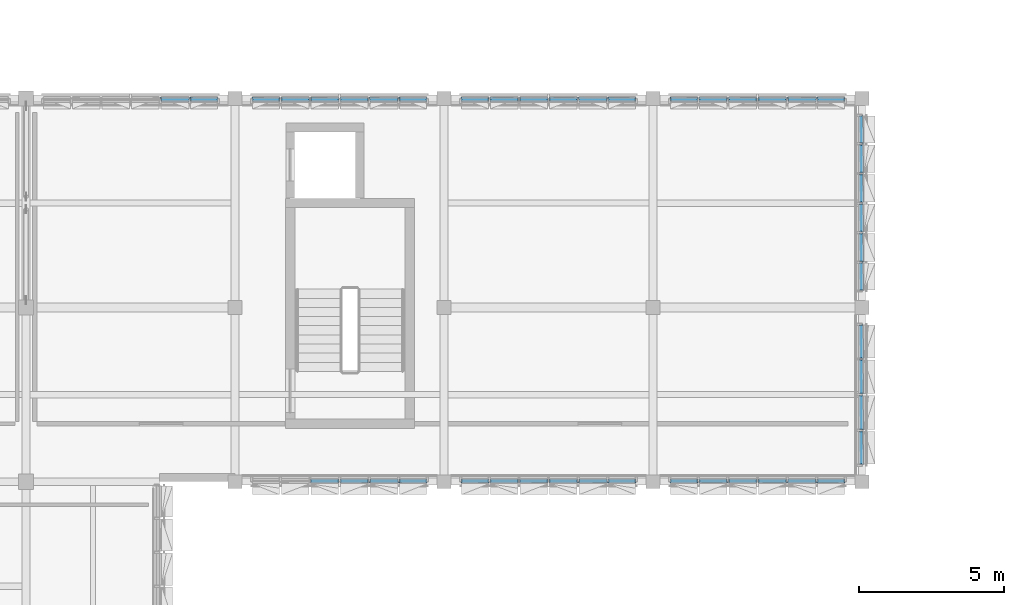
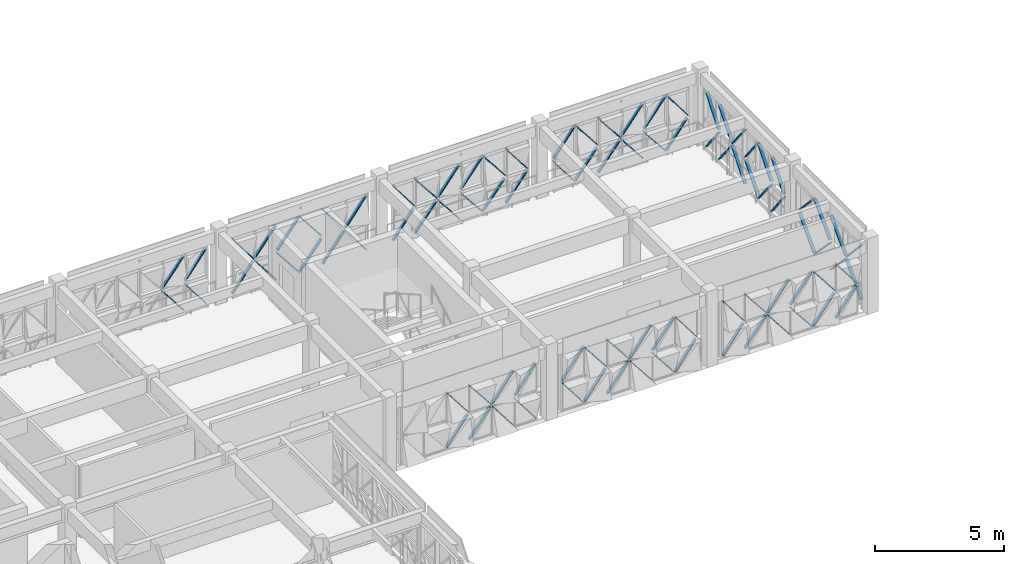
# One storey, part 37 of 48: 92 discrete accessories.
"""IFC4 building model written with IfcOpenShell, lengths in metres."""

from ifc_helpers import new_model, si_unit, direction, frame, origin, origin_2d, place, context, subcontext, project, spatial, rectangle, extrude, material, type_object, element, save


model = new_model("IFC4")

# Units and contexts
model_context = context("Model", 3, precision=1e-05, world=origin(), true_north=direction((0.0, 1.0)))
body_context = subcontext(model_context, "Body", "Model", "MODEL_VIEW")
ifc_project = project(units=[si_unit("LENGTHUNIT", "METRE"), si_unit("AREAUNIT", "SQUARE_METRE"), si_unit("VOLUMEUNIT", "CUBIC_METRE"), si_unit("PLANEANGLEUNIT", "RADIAN"), si_unit("MASSUNIT", "GRAM", prefix="KILO")], contexts=[model_context])

# Site, building, storey
site_placement = place(None, origin())
site = spatial("IfcSite", under=ifc_project, at=site_placement, CompositionType="ELEMENT")
building_placement = place(site_placement, origin())
building = spatial("IfcBuilding", under=site, at=building_placement, Name="Alvorim Cloister Faculty of Sciences", CompositionType="ELEMENT")
storey_placement = place(building_placement, frame((0.0, 0.0, 19.35009765625)))
storey = spatial("IfcBuildingStorey", under=building, at=storey_placement, Name="L05", CompositionType="ELEMENT", Elevation=19.35009765625)

# Discrete accessories
ifc_material = material(Name="Aluminium Alloy 6063-T6", Category="aluminium")
discrete_accessory_type = type_object("IfcDiscreteAccessoryType", Name="ACC-DIAG-BAR", PredefinedType="BRACKET", material=ifc_material)
for number, where, z_axis, x_axis, name in (
    (1, (33.452392578125, 56.37744140625, 1.35498046875), (0.617955086572, -0.006476523147, -0.786186724404), (0.010479997039, 0.999945083323, 0.0), "Diagonal Cassette Glazing Bracket ACC-02413"),
    (2, (33.452392578125, 56.37744140625, 1.494873046875), (0.617955086572, -0.006476523147, 0.786186724404), (0.010479997039, 0.999945083323, 0.0), "Diagonal Cassette Glazing Bracket ACC-02414"),
):
    element("IfcDiscreteAccessory", number, at=place(storey_placement, frame(where, z_axis=z_axis, x_axis=x_axis)), inside=storey, type_object=discrete_accessory_type, Name=name, PredefinedType="BRACKET", context=body_context, shape_type="SweptSolid", body=[
        extrude(rectangle(XDim=0.139892578125, YDim=0.044921875, at=origin_2d()), origin(), (0.0, 0.0, 1.0), 1.545654296875),
    ])
for number, where, z_axis, x_axis, name in (
    (3, (34.472412109375, 56.37744140625, 1.35498046875), (0.604713142785, -0.006560793558, -0.796416330151), (0.010848792579, 0.999941150118, 0.0), "Diagonal Cassette Glazing Bracket ACC-02415"),
    (4, (34.472412109375, 56.37744140625, 1.494873046875), (0.604713142785, -0.006560793558, 0.796416330151), (0.010848792579, 0.999941150118, 0.0), "Diagonal Cassette Glazing Bracket ACC-02416"),
    (5, (36.60498046875, 56.37744140625, 0.139892578125), (0.604713142785, -0.006560793558, 0.796416330151), (0.010848792579, 0.999941150118, 0.0), "Diagonal Cassette Glazing Bracket ACC-02418"),
    (6, (36.60498046875, 56.37744140625, 2.7099609375), (0.604713142785, -0.006560793558, -0.796416330151), (0.010848792579, 0.999941150118, 0.0), "Diagonal Cassette Glazing Bracket ACC-02419"),
):
    element("IfcDiscreteAccessory", number, at=place(storey_placement, frame(where, z_axis=z_axis, x_axis=x_axis)), inside=storey, type_object=discrete_accessory_type, Name=name, PredefinedType="BRACKET", context=body_context, shape_type="SweptSolid", body=[
        extrude(rectangle(XDim=0.139892578125, YDim=0.044921875, at=origin_2d()), origin(), (0.0, 0.0, 1.0), 1.525634765625),
    ])
for number, where, z_axis, x_axis, name in (
    (7, (37.592529296875, 56.37744140625, 1.35498046875), (0.617955086572, -0.006476523147, -0.786186724404), (0.010479997039, 0.999945083323, 0.0), "Diagonal Cassette Glazing Bracket ACC-02420"),
    (8, (37.592529296875, 56.37744140625, 1.494873046875), (0.617955086572, -0.006476523147, 0.786186724404), (0.010479997039, 0.999945083323, 0.0), "Diagonal Cassette Glazing Bracket ACC-02421"),
):
    element("IfcDiscreteAccessory", number, at=place(storey_placement, frame(where, z_axis=z_axis, x_axis=x_axis)), inside=storey, type_object=discrete_accessory_type, Name=name, PredefinedType="BRACKET", context=body_context, shape_type="SweptSolid", body=[
        extrude(rectangle(XDim=0.139892578125, YDim=0.044921875, at=origin_2d()), origin(), (0.0, 0.0, 1.0), 1.545654296875),
    ])
for number, where, z_axis, x_axis, name in (
    (9, (38.612548828125, 56.37744140625, 1.35498046875), (0.61785742976, -0.006477155362, -0.786263469168), (0.010482676365, 0.999945055239, 0.0), "Diagonal Cassette Glazing Bracket ACC-02422"),
    (10, (38.612548828125, 56.37744140625, 1.494873046875), (0.61785742976, -0.006477155362, 0.786263469168), (0.010482676365, 0.999945055239, 0.0), "Diagonal Cassette Glazing Bracket ACC-02423"),
    (11, (39.632568359375, 56.37744140625, 0.139892578125), (0.61785742976, -0.006477155362, 0.786263469168), (0.010482676365, 0.999945055239, 0.0), "Diagonal Cassette Glazing Bracket ACC-02424"),
    (12, (39.632568359375, 56.37744140625, 2.7099609375), (0.61785742976, -0.006477155362, -0.786263469168), (0.010482676365, 0.999945055239, 0.0), "Diagonal Cassette Glazing Bracket ACC-02425"),
    (13, (40.652587890625, 56.37744140625, 0.139892578125), (0.61785742976, -0.006477155362, 0.786263469168), (0.010482676365, 0.999945055239, 0.0), "Diagonal Cassette Glazing Bracket ACC-02426"),
    (14, (40.652587890625, 56.37744140625, 2.7099609375), (0.61785742976, -0.006477155362, -0.786263469168), (0.010482676365, 0.999945055239, 0.0), "Diagonal Cassette Glazing Bracket ACC-02427"),
):
    element("IfcDiscreteAccessory", number, at=place(storey_placement, frame(where, z_axis=z_axis, x_axis=x_axis)), inside=storey, type_object=discrete_accessory_type, Name=name, PredefinedType="BRACKET", context=body_context, shape_type="SweptSolid", body=[
        extrude(rectangle(XDim=0.139892578125, YDim=0.044921875, at=origin_2d()), origin(), (0.0, 0.0, 1.0), 1.54541015625),
    ])
for number, where, z_axis, x_axis, name in (
    (15, (41.672607421875, 56.37744140625, 1.35498046875), (0.604611624251, -0.006561428426, -0.796493397008), (0.010851663811, 0.999941118963, 0.0), "Diagonal Cassette Glazing Bracket ACC-02428"),
    (16, (41.672607421875, 56.37744140625, 1.494873046875), (0.604611624251, -0.006561428426, 0.796493397008), (0.010851663811, 0.999941118963, 0.0), "Diagonal Cassette Glazing Bracket ACC-02429"),
    (17, (43.804931640625, 56.37744140625, 0.139892578125), (0.604713142785, -0.006560793558, 0.796416330151), (0.010848792579, 0.999941150118, 0.0), "Diagonal Cassette Glazing Bracket ACC-02431"),
    (18, (43.804931640625, 56.37744140625, 2.7099609375), (0.604713142785, -0.006560793558, -0.796416330151), (0.010848792579, 0.999941150118, 0.0), "Diagonal Cassette Glazing Bracket ACC-02432"),
):
    element("IfcDiscreteAccessory", number, at=place(storey_placement, frame(where, z_axis=z_axis, x_axis=x_axis)), inside=storey, type_object=discrete_accessory_type, Name=name, PredefinedType="BRACKET", context=body_context, shape_type="SweptSolid", body=[
        extrude(rectangle(XDim=0.139892578125, YDim=0.044921875, at=origin_2d()), origin(), (0.0, 0.0, 1.0), 1.525634765625),
    ])
for number, where, z_axis, x_axis, name in (
    (19, (44.79248046875, 56.37744140625, 0.139892578125), (0.617955086572, -0.006476523147, 0.786186724404), (0.010479997039, 0.999945083323, 0.0), "Diagonal Cassette Glazing Bracket ACC-02433"),
    (20, (44.79248046875, 56.37744140625, 2.7099609375), (0.617955086572, -0.006476523147, -0.786186724404), (0.010479997039, 0.999945083323, 0.0), "Diagonal Cassette Glazing Bracket ACC-02434"),
    (21, (45.8125, 56.37744140625, 1.35498046875), (0.617955086572, -0.006476523147, -0.786186724404), (0.010479997039, 0.999945083323, 0.0), "Diagonal Cassette Glazing Bracket ACC-02435"),
    (22, (45.8125, 56.37744140625, 1.494873046875), (0.617955086572, -0.006476523147, 0.786186724404), (0.010479997039, 0.999945083323, 0.0), "Diagonal Cassette Glazing Bracket ACC-02436"),
    (23, (46.83251953125, 56.37744140625, 1.35498046875), (0.617955086572, -0.006476523147, -0.786186724404), (0.010479997039, 0.999945083323, 0.0), "Diagonal Cassette Glazing Bracket ACC-02437"),
    (24, (46.83251953125, 56.37744140625, 1.494873046875), (0.617955086572, -0.006476523147, 0.786186724404), (0.010479997039, 0.999945083323, 0.0), "Diagonal Cassette Glazing Bracket ACC-02438"),
    (25, (47.8525390625, 56.37744140625, 0.139892578125), (0.617955086572, -0.006476523147, 0.786186724404), (0.010479997039, 0.999945083323, 0.0), "Diagonal Cassette Glazing Bracket ACC-02439"),
    (26, (47.8525390625, 56.37744140625, 2.7099609375), (0.617955086572, -0.006476523147, -0.786186724404), (0.010479997039, 0.999945083323, 0.0), "Diagonal Cassette Glazing Bracket ACC-02440"),
):
    element("IfcDiscreteAccessory", number, at=place(storey_placement, frame(where, z_axis=z_axis, x_axis=x_axis)), inside=storey, type_object=discrete_accessory_type, Name=name, PredefinedType="BRACKET", context=body_context, shape_type="SweptSolid", body=[
        extrude(rectangle(XDim=0.139892578125, YDim=0.044921875, at=origin_2d()), origin(), (0.0, 0.0, 1.0), 1.545654296875),
    ])
for number, where, z_axis, x_axis, name in (
    (27, (48.87255859375, 56.37744140625, 0.139892578125), (0.604611624251, -0.006561428426, 0.796493397008), (0.010851663811, 0.999941118963, 0.0), "Diagonal Cassette Glazing Bracket ACC-02441"),
    (28, (48.87255859375, 56.37744140625, 2.7099609375), (0.604611624251, -0.006561428426, -0.796493397008), (0.010851663811, 0.999941118963, 0.0), "Diagonal Cassette Glazing Bracket ACC-02442"),
    (29, (51.0048828125, 56.37744140625, 1.35498046875), (0.604713142785, -0.006560793558, -0.796416330151), (0.010848792579, 0.999941150118, 0.0), "Diagonal Cassette Glazing Bracket ACC-02444"),
    (30, (51.0048828125, 56.37744140625, 1.494873046875), (0.604713142785, -0.006560793558, 0.796416330151), (0.010848792579, 0.999941150118, 0.0), "Diagonal Cassette Glazing Bracket ACC-02445"),
):
    element("IfcDiscreteAccessory", number, at=place(storey_placement, frame(where, z_axis=z_axis, x_axis=x_axis)), inside=storey, type_object=discrete_accessory_type, Name=name, PredefinedType="BRACKET", context=body_context, shape_type="SweptSolid", body=[
        extrude(rectangle(XDim=0.139892578125, YDim=0.044921875, at=origin_2d()), origin(), (0.0, 0.0, 1.0), 1.525634765625),
    ])
for number, where, z_axis, x_axis, name in (
    (31, (51.992431640625, 56.37744140625, 0.139892578125), (0.617955086572, -0.006476523147, 0.786186724404), (0.010479997039, 0.999945083323, 0.0), "Diagonal Cassette Glazing Bracket ACC-02446"),
    (32, (51.992431640625, 56.37744140625, 2.7099609375), (0.617955086572, -0.006476523147, -0.786186724404), (0.010479997039, 0.999945083323, 0.0), "Diagonal Cassette Glazing Bracket ACC-02447"),
    (33, (53.012451171875, 56.37744140625, 0.139892578125), (0.617955086572, -0.006476523147, 0.786186724404), (0.010479997039, 0.999945083323, 0.0), "Diagonal Cassette Glazing Bracket ACC-02448"),
    (34, (53.012451171875, 56.37744140625, 2.7099609375), (0.617955086572, -0.006476523147, -0.786186724404), (0.010479997039, 0.999945083323, 0.0), "Diagonal Cassette Glazing Bracket ACC-02449"),
    (35, (54.032470703125, 56.37744140625, 1.35498046875), (0.617955086572, -0.006476523147, -0.786186724404), (0.010479997039, 0.999945083323, 0.0), "Diagonal Cassette Glazing Bracket ACC-02450"),
    (36, (54.032470703125, 56.37744140625, 1.494873046875), (0.617955086572, -0.006476523147, 0.786186724404), (0.010479997039, 0.999945083323, 0.0), "Diagonal Cassette Glazing Bracket ACC-02451"),
    (37, (55.052490234375, 56.37744140625, 1.35498046875), (0.617955086572, -0.006476523147, -0.786186724404), (0.010479997039, 0.999945083323, 0.0), "Diagonal Cassette Glazing Bracket ACC-02452"),
    (38, (55.052490234375, 56.37744140625, 1.494873046875), (0.617955086572, -0.006476523147, 0.786186724404), (0.010479997039, 0.999945083323, 0.0), "Diagonal Cassette Glazing Bracket ACC-02453"),
):
    element("IfcDiscreteAccessory", number, at=place(storey_placement, frame(where, z_axis=z_axis, x_axis=x_axis)), inside=storey, type_object=discrete_accessory_type, Name=name, PredefinedType="BRACKET", context=body_context, shape_type="SweptSolid", body=[
        extrude(rectangle(XDim=0.139892578125, YDim=0.044921875, at=origin_2d()), origin(), (0.0, 0.0, 1.0), 1.545654296875),
    ])
for number, where, z_axis, x_axis, name in (
    (39, (56.072509765625, 56.37744140625, 0.139892578125), (0.604713142785, -0.006560793558, 0.796416330151), (0.010848792579, 0.999941150118, 0.0), "Diagonal Cassette Glazing Bracket ACC-02454"),
    (40, (56.072509765625, 56.37744140625, 2.7099609375), (0.604713142785, -0.006560793558, -0.796416330151), (0.010848792579, 0.999941150118, 0.0), "Diagonal Cassette Glazing Bracket ACC-02455"),
    (41, (57.577392578125, 49.804931640625, 1.35498046875), (-0.006560793558, 0.604713142785, -0.796416330151), (-0.999941150118, -0.010848792579, 0.0), "Diagonal Cassette Glazing Bracket ACC-02457"),
    (42, (57.577392578125, 49.804931640625, 1.494873046875), (-0.006560793558, 0.604713142785, 0.796416330151), (-0.999941150118, -0.010848792579, 0.0), "Diagonal Cassette Glazing Bracket ACC-02458"),
):
    element("IfcDiscreteAccessory", number, at=place(storey_placement, frame(where, z_axis=z_axis, x_axis=x_axis)), inside=storey, type_object=discrete_accessory_type, Name=name, PredefinedType="BRACKET", context=body_context, shape_type="SweptSolid", body=[
        extrude(rectangle(XDim=0.139892578125, YDim=0.044921875, at=origin_2d()), origin(), (0.0, 0.0, 1.0), 1.525634765625),
    ])
for number, where, z_axis, x_axis, name in (
    (43, (57.577392578125, 50.79248046875, 1.35498046875), (-0.006476523147, 0.617955086572, -0.786186724404), (-0.999945083323, -0.010479997039, 0.0), "Diagonal Cassette Glazing Bracket ACC-02459"),
    (44, (57.577392578125, 50.79248046875, 1.494873046875), (-0.006476523147, 0.617955086572, 0.786186724404), (-0.999945083323, -0.010479997039, 0.0), "Diagonal Cassette Glazing Bracket ACC-02460"),
    (45, (57.577392578125, 51.8125, 0.139892578125), (-0.006476523147, 0.617955086572, 0.786186724404), (-0.999945083323, -0.010479997039, 0.0), "Diagonal Cassette Glazing Bracket ACC-02461"),
    (46, (57.577392578125, 51.8125, 2.7099609375), (-0.006476523147, 0.617955086572, -0.786186724404), (-0.999945083323, -0.010479997039, 0.0), "Diagonal Cassette Glazing Bracket ACC-02462"),
    (47, (57.577392578125, 52.83251953125, 0.139892578125), (-0.006476523147, 0.617955086572, 0.786186724404), (-0.999945083323, -0.010479997039, 0.0), "Diagonal Cassette Glazing Bracket ACC-02463"),
    (48, (57.577392578125, 52.83251953125, 2.7099609375), (-0.006476523147, 0.617955086572, -0.786186724404), (-0.999945083323, -0.010479997039, 0.0), "Diagonal Cassette Glazing Bracket ACC-02464"),
    (49, (57.577392578125, 53.8525390625, 1.35498046875), (-0.006476523147, 0.617955086572, -0.786186724404), (-0.999945083323, -0.010479997039, 0.0), "Diagonal Cassette Glazing Bracket ACC-02465"),
    (50, (57.577392578125, 53.8525390625, 1.494873046875), (-0.006476523147, 0.617955086572, 0.786186724404), (-0.999945083323, -0.010479997039, 0.0), "Diagonal Cassette Glazing Bracket ACC-02466"),
):
    element("IfcDiscreteAccessory", number, at=place(storey_placement, frame(where, z_axis=z_axis, x_axis=x_axis)), inside=storey, type_object=discrete_accessory_type, Name=name, PredefinedType="BRACKET", context=body_context, shape_type="SweptSolid", body=[
        extrude(rectangle(XDim=0.139892578125, YDim=0.044921875, at=origin_2d()), origin(), (0.0, 0.0, 1.0), 1.545654296875),
    ])
for number, where, z_axis, x_axis, name in (
    (51, (57.577392578125, 54.87255859375, 1.35498046875), (-0.006561428426, 0.604611624251, -0.796493397008), (-0.999941118963, -0.010851663811, 0.0), "Diagonal Cassette Glazing Bracket ACC-02467"),
    (52, (57.577392578125, 54.87255859375, 1.494873046875), (-0.006561428426, 0.604611624251, 0.796493397008), (-0.999941118963, -0.010851663811, 0.0), "Diagonal Cassette Glazing Bracket ACC-02468"),
):
    element("IfcDiscreteAccessory", number, at=place(storey_placement, frame(where, z_axis=z_axis, x_axis=x_axis)), inside=storey, type_object=discrete_accessory_type, Name=name, PredefinedType="BRACKET", context=body_context, shape_type="SweptSolid", body=[
        extrude(rectangle(XDim=0.139892578125, YDim=0.044921875, at=origin_2d()), origin(), (0.0, 0.0, 1.0), 1.525634765625),
    ])
for number, where, z_axis, x_axis, name in (
    (53, (57.577392578125, 43.804931640625, 0.139892578125), (-0.00602598982, 0.681818701864, 0.731496374041), (-0.999960946179, -0.0088377665, 0.0), "Diagonal Cassette Glazing Bracket ACC-02470"),
    (54, (57.577392578125, 43.804931640625, 2.7099609375), (-0.00602598982, 0.681818701864, -0.731496374041), (-0.999960946179, -0.0088377665, 0.0), "Diagonal Cassette Glazing Bracket ACC-02471"),
):
    element("IfcDiscreteAccessory", number, at=place(storey_placement, frame(where, z_axis=z_axis, x_axis=x_axis)), inside=storey, type_object=discrete_accessory_type, Name=name, PredefinedType="BRACKET", context=body_context, shape_type="SweptSolid", body=[
        extrude(rectangle(XDim=0.139892578125, YDim=0.044921875, at=origin_2d()), origin(), (0.0, 0.0, 1.0), 1.6611328125),
    ])
for number, where, z_axis, x_axis, name in (
    (55, (57.577392578125, 45.00244140625, 1.35498046875), (-0.00594613975, 0.692072655757, -0.721803354506), (-0.999963092655, -0.008591468315, 0.0), "Diagonal Cassette Glazing Bracket ACC-02472"),
    (56, (57.577392578125, 45.00244140625, 1.494873046875), (-0.00594613975, 0.692072655757, 0.721803354506), (-0.999963092655, -0.008591468315, 0.0), "Diagonal Cassette Glazing Bracket ACC-02473"),
    (57, (57.577392578125, 46.232421875, 1.35498046875), (-0.00594613975, 0.692072655757, -0.721803354506), (-0.999963092655, -0.008591468315, 0.0), "Diagonal Cassette Glazing Bracket ACC-02474"),
    (58, (57.577392578125, 46.232421875, 1.494873046875), (-0.00594613975, 0.692072655757, 0.721803354506), (-0.999963092655, -0.008591468315, 0.0), "Diagonal Cassette Glazing Bracket ACC-02475"),
):
    element("IfcDiscreteAccessory", number, at=place(storey_placement, frame(where, z_axis=z_axis, x_axis=x_axis)), inside=storey, type_object=discrete_accessory_type, Name=name, PredefinedType="BRACKET", context=body_context, shape_type="SweptSolid", body=[
        extrude(rectangle(XDim=0.139892578125, YDim=0.044921875, at=origin_2d()), origin(), (0.0, 0.0, 1.0), 1.683349609375),
    ])
for number, where, z_axis, x_axis, name in (
    (59, (57.577392578125, 47.46240234375, 0.139892578125), (-0.00602598982, 0.681818701864, 0.731496374041), (-0.999960946179, -0.0088377665, 0.0), "Diagonal Cassette Glazing Bracket ACC-02476"),
    (60, (57.577392578125, 47.46240234375, 2.7099609375), (-0.00602598982, 0.681818701864, -0.731496374041), (-0.999960946179, -0.0088377665, 0.0), "Diagonal Cassette Glazing Bracket ACC-02477"),
):
    element("IfcDiscreteAccessory", number, at=place(storey_placement, frame(where, z_axis=z_axis, x_axis=x_axis)), inside=storey, type_object=discrete_accessory_type, Name=name, PredefinedType="BRACKET", context=body_context, shape_type="SweptSolid", body=[
        extrude(rectangle(XDim=0.139892578125, YDim=0.044921875, at=origin_2d()), origin(), (0.0, 0.0, 1.0), 1.6611328125),
    ])
for number, where, z_axis, x_axis, name in (
    (61, (51.0048828125, 43.222412109375, 0.139892578125), (0.604713142785, 0.006560793558, 0.796416330151), (-0.010848792579, 0.999941150118, 0.0), "Diagonal Cassette Glazing Bracket ACC-02479"),
    (62, (51.0048828125, 43.222412109375, 2.7099609375), (0.604713142785, 0.006560793558, -0.796416330151), (-0.010848792579, 0.999941150118, 0.0), "Diagonal Cassette Glazing Bracket ACC-02480"),
):
    element("IfcDiscreteAccessory", number, at=place(storey_placement, frame(where, z_axis=z_axis, x_axis=x_axis)), inside=storey, type_object=discrete_accessory_type, Name=name, PredefinedType="BRACKET", context=body_context, shape_type="SweptSolid", body=[
        extrude(rectangle(XDim=0.139892578125, YDim=0.044921875, at=origin_2d()), origin(), (0.0, 0.0, 1.0), 1.525634765625),
    ])
for number, where, z_axis, x_axis, name in (
    (63, (51.992431640625, 43.222412109375, 0.139892578125), (0.617955086572, 0.006476523147, 0.786186724404), (-0.010479997039, 0.999945083323, 0.0), "Diagonal Cassette Glazing Bracket ACC-02481"),
    (64, (51.992431640625, 43.222412109375, 2.7099609375), (0.617955086572, 0.006476523147, -0.786186724404), (-0.010479997039, 0.999945083323, 0.0), "Diagonal Cassette Glazing Bracket ACC-02482"),
    (65, (53.012451171875, 43.222412109375, 1.35498046875), (0.617955086572, 0.006476523147, -0.786186724404), (-0.010479997039, 0.999945083323, 0.0), "Diagonal Cassette Glazing Bracket ACC-02483"),
    (66, (53.012451171875, 43.222412109375, 1.494873046875), (0.617955086572, 0.006476523147, 0.786186724404), (-0.010479997039, 0.999945083323, 0.0), "Diagonal Cassette Glazing Bracket ACC-02484"),
    (67, (54.032470703125, 43.222412109375, 1.35498046875), (0.617955086572, 0.006476523147, -0.786186724404), (-0.010479997039, 0.999945083323, 0.0), "Diagonal Cassette Glazing Bracket ACC-02485"),
    (68, (54.032470703125, 43.222412109375, 1.494873046875), (0.617955086572, 0.006476523147, 0.786186724404), (-0.010479997039, 0.999945083323, 0.0), "Diagonal Cassette Glazing Bracket ACC-02486"),
    (69, (55.052490234375, 43.222412109375, 0.139892578125), (0.617955086572, 0.006476523147, 0.786186724404), (-0.010479997039, 0.999945083323, 0.0), "Diagonal Cassette Glazing Bracket ACC-02487"),
    (70, (55.052490234375, 43.222412109375, 2.7099609375), (0.617955086572, 0.006476523147, -0.786186724404), (-0.010479997039, 0.999945083323, 0.0), "Diagonal Cassette Glazing Bracket ACC-02488"),
):
    element("IfcDiscreteAccessory", number, at=place(storey_placement, frame(where, z_axis=z_axis, x_axis=x_axis)), inside=storey, type_object=discrete_accessory_type, Name=name, PredefinedType="BRACKET", context=body_context, shape_type="SweptSolid", body=[
        extrude(rectangle(XDim=0.139892578125, YDim=0.044921875, at=origin_2d()), origin(), (0.0, 0.0, 1.0), 1.545654296875),
    ])
for number, where, z_axis, x_axis, name in (
    (71, (56.072509765625, 43.222412109375, 0.139892578125), (0.604713142785, 0.006560793558, 0.796416330151), (-0.010848792579, 0.999941150118, 0.0), "Diagonal Cassette Glazing Bracket ACC-02489"),
    (72, (56.072509765625, 43.222412109375, 2.7099609375), (0.604713142785, 0.006560793558, -0.796416330151), (-0.010848792579, 0.999941150118, 0.0), "Diagonal Cassette Glazing Bracket ACC-02490"),
    (73, (43.804931640625, 43.222412109375, 1.35498046875), (0.604713142785, 0.006560793558, -0.796416330151), (-0.010848792579, 0.999941150118, 0.0), "Diagonal Cassette Glazing Bracket ACC-02492"),
    (74, (43.804931640625, 43.222412109375, 1.494873046875), (0.604713142785, 0.006560793558, 0.796416330151), (-0.010848792579, 0.999941150118, 0.0), "Diagonal Cassette Glazing Bracket ACC-02493"),
):
    element("IfcDiscreteAccessory", number, at=place(storey_placement, frame(where, z_axis=z_axis, x_axis=x_axis)), inside=storey, type_object=discrete_accessory_type, Name=name, PredefinedType="BRACKET", context=body_context, shape_type="SweptSolid", body=[
        extrude(rectangle(XDim=0.139892578125, YDim=0.044921875, at=origin_2d()), origin(), (0.0, 0.0, 1.0), 1.525634765625),
    ])
for number, where, z_axis, x_axis, name in (
    (75, (44.79248046875, 43.222412109375, 0.139892578125), (0.617955086572, 0.006476523147, 0.786186724404), (-0.010479997039, 0.999945083323, 0.0), "Diagonal Cassette Glazing Bracket ACC-02494"),
    (76, (44.79248046875, 43.222412109375, 2.7099609375), (0.617955086572, 0.006476523147, -0.786186724404), (-0.010479997039, 0.999945083323, 0.0), "Diagonal Cassette Glazing Bracket ACC-02495"),
    (77, (45.8125, 43.222412109375, 0.139892578125), (0.617955086572, 0.006476523147, 0.786186724404), (-0.010479997039, 0.999945083323, 0.0), "Diagonal Cassette Glazing Bracket ACC-02496"),
    (78, (45.8125, 43.222412109375, 2.7099609375), (0.617955086572, 0.006476523147, -0.786186724404), (-0.010479997039, 0.999945083323, 0.0), "Diagonal Cassette Glazing Bracket ACC-02497"),
    (79, (46.83251953125, 43.222412109375, 1.35498046875), (0.617955086572, 0.006476523147, -0.786186724404), (-0.010479997039, 0.999945083323, 0.0), "Diagonal Cassette Glazing Bracket ACC-02498"),
    (80, (46.83251953125, 43.222412109375, 1.494873046875), (0.617955086572, 0.006476523147, 0.786186724404), (-0.010479997039, 0.999945083323, 0.0), "Diagonal Cassette Glazing Bracket ACC-02499"),
    (81, (47.8525390625, 43.222412109375, 1.35498046875), (0.617955086572, 0.006476523147, -0.786186724404), (-0.010479997039, 0.999945083323, 0.0), "Diagonal Cassette Glazing Bracket ACC-02500"),
    (82, (47.8525390625, 43.222412109375, 1.494873046875), (0.617955086572, 0.006476523147, 0.786186724404), (-0.010479997039, 0.999945083323, 0.0), "Diagonal Cassette Glazing Bracket ACC-02501"),
):
    element("IfcDiscreteAccessory", number, at=place(storey_placement, frame(where, z_axis=z_axis, x_axis=x_axis)), inside=storey, type_object=discrete_accessory_type, Name=name, PredefinedType="BRACKET", context=body_context, shape_type="SweptSolid", body=[
        extrude(rectangle(XDim=0.139892578125, YDim=0.044921875, at=origin_2d()), origin(), (0.0, 0.0, 1.0), 1.545654296875),
    ])
for number, where, z_axis, x_axis, name in (
    (83, (48.87255859375, 43.222412109375, 0.139892578125), (0.604611624251, 0.006561428426, 0.796493397008), (-0.010851663811, 0.999941118963, 0.0), "Diagonal Cassette Glazing Bracket ACC-02502"),
    (84, (48.87255859375, 43.222412109375, 2.7099609375), (0.604611624251, 0.006561428426, -0.796493397008), (-0.010851663811, 0.999941118963, 0.0), "Diagonal Cassette Glazing Bracket ACC-02503"),
):
    element("IfcDiscreteAccessory", number, at=place(storey_placement, frame(where, z_axis=z_axis, x_axis=x_axis)), inside=storey, type_object=discrete_accessory_type, Name=name, PredefinedType="BRACKET", context=body_context, shape_type="SweptSolid", body=[
        extrude(rectangle(XDim=0.139892578125, YDim=0.044921875, at=origin_2d()), origin(), (0.0, 0.0, 1.0), 1.525634765625),
    ])
for number, where, z_axis, x_axis, name in (
    (85, (38.612548828125, 43.222412109375, 0.139892578125), (0.61785742976, 0.006477155362, 0.786263469168), (-0.010482676365, 0.999945055239, 0.0), "Diagonal Cassette Glazing Bracket ACC-02509"),
    (86, (38.612548828125, 43.222412109375, 2.7099609375), (0.61785742976, 0.006477155362, -0.786263469168), (-0.010482676365, 0.999945055239, 0.0), "Diagonal Cassette Glazing Bracket ACC-02510"),
    (87, (39.632568359375, 43.222412109375, 0.139892578125), (0.61785742976, 0.006477155362, 0.786263469168), (-0.010482676365, 0.999945055239, 0.0), "Diagonal Cassette Glazing Bracket ACC-02511"),
    (88, (39.632568359375, 43.222412109375, 2.7099609375), (0.61785742976, 0.006477155362, -0.786263469168), (-0.010482676365, 0.999945055239, 0.0), "Diagonal Cassette Glazing Bracket ACC-02512"),
    (89, (40.652587890625, 43.222412109375, 1.35498046875), (0.61785742976, 0.006477155362, -0.786263469168), (-0.010482676365, 0.999945055239, 0.0), "Diagonal Cassette Glazing Bracket ACC-02513"),
    (90, (40.652587890625, 43.222412109375, 1.494873046875), (0.61785742976, 0.006477155362, 0.786263469168), (-0.010482676365, 0.999945055239, 0.0), "Diagonal Cassette Glazing Bracket ACC-02514"),
):
    element("IfcDiscreteAccessory", number, at=place(storey_placement, frame(where, z_axis=z_axis, x_axis=x_axis)), inside=storey, type_object=discrete_accessory_type, Name=name, PredefinedType="BRACKET", context=body_context, shape_type="SweptSolid", body=[
        extrude(rectangle(XDim=0.139892578125, YDim=0.044921875, at=origin_2d()), origin(), (0.0, 0.0, 1.0), 1.54541015625),
    ])
for number, where, z_axis, x_axis, name in (
    (91, (41.672607421875, 43.222412109375, 1.35498046875), (0.604611624251, 0.006561428426, -0.796493397008), (-0.010851663811, 0.999941118963, 0.0), "Diagonal Cassette Glazing Bracket ACC-02515"),
    (92, (41.672607421875, 43.222412109375, 1.494873046875), (0.604611624251, 0.006561428426, 0.796493397008), (-0.010851663811, 0.999941118963, 0.0), "Diagonal Cassette Glazing Bracket ACC-02516"),
):
    element("IfcDiscreteAccessory", number, at=place(storey_placement, frame(where, z_axis=z_axis, x_axis=x_axis)), inside=storey, type_object=discrete_accessory_type, Name=name, PredefinedType="BRACKET", context=body_context, shape_type="SweptSolid", body=[
        extrude(rectangle(XDim=0.139892578125, YDim=0.044921875, at=origin_2d()), origin(), (0.0, 0.0, 1.0), 1.525634765625),
    ])

save(model, "model.ifc")
